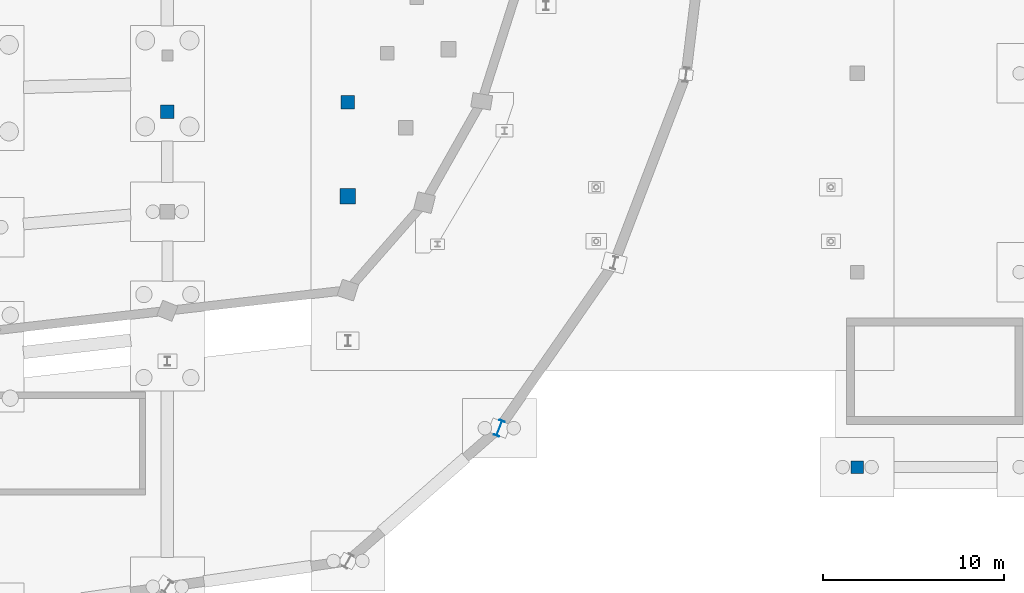
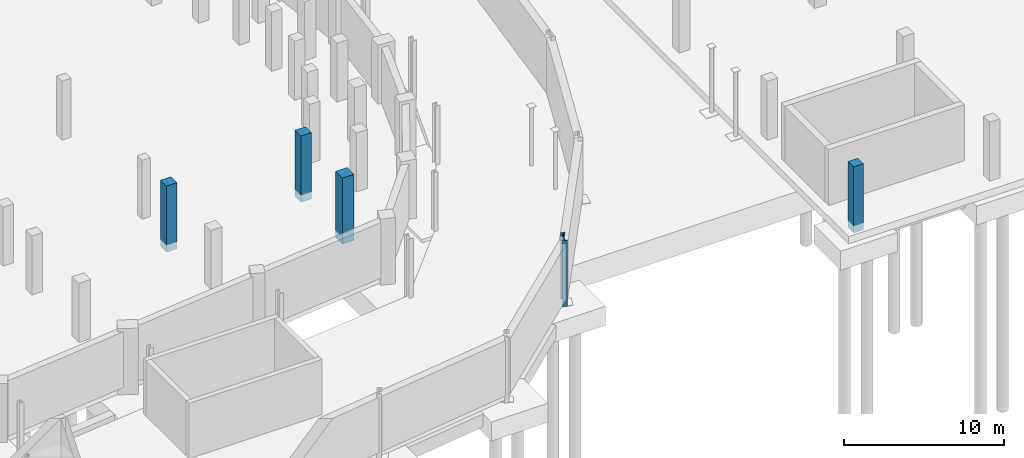
# One storey, part 27 of 55: 5 columns.
"""IFC4 building model written with IfcOpenShell, lengths in metres."""

from ifc_helpers import new_model, si_unit, direction, frame, origin, origin_2d, place, context, subcontext, project, spatial, rectangle, i_section, extrude, material, material_profile, profile_set, type_object, element, save


model = new_model("IFC4")

# Units and contexts
model_context = context("Model", 3, precision=1e-05, world=origin(), true_north=direction((0.0, 1.0)))
body_context = subcontext(model_context, "Body", "Model", "MODEL_VIEW")
ifc_project = project(units=[si_unit("LENGTHUNIT", "METRE"), si_unit("AREAUNIT", "SQUARE_METRE"), si_unit("VOLUMEUNIT", "CUBIC_METRE"), si_unit("PLANEANGLEUNIT", "RADIAN"), si_unit("MASSUNIT", "GRAM", prefix="KILO")], contexts=[model_context])

# Site, building, storey
site_placement = place(None, origin())
site = spatial("IfcSite", under=ifc_project, at=site_placement, CompositionType="ELEMENT")
building_placement = place(site_placement, origin())
building = spatial("IfcBuilding", under=site, at=building_placement, Name="Sohan Crest Arena", CompositionType="ELEMENT")
storey_placement = place(building_placement, frame((0.0, 0.0, -4.5)))
storey = spatial("IfcBuildingStorey", under=building, at=storey_placement, Name="B1", CompositionType="ELEMENT", Elevation=-4.5)

# Columns
ifc_material_1 = material(Name="Concrete C40/50", Category="concrete")
ifc_material_profile_1 = material_profile(ifc_material_1, rectangle(XDim=0.699951171875, YDim=0.699951171875, at=origin_2d()), Name="RC 700x700")
ifc_profile_set_1 = profile_set([ifc_material_profile_1], Name="Concrete C40/50")
column_type_1 = type_object("IfcColumnType", Name="STR-COL-C03", PredefinedType="COLUMN", material=ifc_profile_set_1)
column_1_placement = place(storey_placement, frame((196.199951171875, 45.199951171875, -0.550048828125), z_axis=(0.0, 0.0, 1.0), x_axis=(1.0, 0.0, 0.0)))
element("IfcColumn", 1, at=column_1_placement, inside=storey, type_object=column_type_1, Name="Structural column COL-V4S-11-B1", PredefinedType="COLUMN", context=body_context, shape_type="SweptSolid", body=[
    extrude(rectangle(XDim=0.699951171875, YDim=0.699951171875, at=origin_2d()), origin(), (0.0, 0.0, 1.0), 5.050048828125),
])
ifc_material_profile_2 = material_profile(ifc_material_1, rectangle(XDim=0.75, YDim=0.75, at=origin_2d()), Name="RC 750x750")
ifc_profile_set_2 = profile_set([ifc_material_profile_2], Name="Concrete C40/50")
column_type_2 = type_object("IfcColumnType", Name="STR-COL-C04", PredefinedType="COLUMN", material=ifc_profile_set_2)
for number, where, z_axis, x_axis, name in (
    (2, (158.0, 64.885986328125, -0.550048828125), (0.0, 0.0, 1.0), (1.0, 0.0, 0.0), "Structural column COL-V1I-19-B1"),
    (3, (168.0, 65.39990234375, -0.550048828125), (0.0, 0.0, 1.0), (1.0, 0.0, 0.0), "Structural column COL-V1I-20-B1"),
):
    element("IfcColumn", number, at=place(storey_placement, frame(where, z_axis=z_axis, x_axis=x_axis)), inside=storey, type_object=column_type_2, Name=name, PredefinedType="COLUMN", context=body_context, shape_type="SweptSolid", body=[
        extrude(rectangle(XDim=0.75, YDim=0.75, at=origin_2d()), origin(), (0.0, 0.0, 1.0), 5.050048828125),
    ])
ifc_material_profile_3 = material_profile(ifc_material_1, rectangle(XDim=0.85009765625, YDim=0.85009765625, at=origin_2d()), Name="RC 850x850")
ifc_profile_set_3 = profile_set([ifc_material_profile_3], Name="Concrete C40/50")
column_type_3 = type_object("IfcColumnType", Name="STR-COL-C06", PredefinedType="COLUMN", material=ifc_profile_set_3)
column_2_placement = place(storey_placement, frame((168.0, 60.199951171875, -0.550048828125), z_axis=(0.0, 0.0, 1.0), x_axis=(1.0, 0.0, 0.0)))
element("IfcColumn", 4, at=column_2_placement, inside=storey, type_object=column_type_3, Name="Structural column COL-V1M-20-B1", PredefinedType="COLUMN", context=body_context, shape_type="SweptSolid", body=[
    extrude(rectangle(XDim=0.85009765625, YDim=0.85009765625, at=origin_2d()), origin(), (0.0, 0.0, 1.0), 5.050048828125),
])
ifc_material_2 = material(Name="Steel S355", Category="steel")
ifc_material_profile_4 = material_profile(ifc_material_2, i_section(OverallWidth=0.300048828125, OverallDepth=0.89990234375, WebThickness=0.0185546875, FlangeThickness=0.034912109375, at=origin_2d()), Name="HEB 900")
ifc_profile_set_4 = profile_set([ifc_material_profile_4], Name="Steel S355")
column_type_4 = type_object("IfcColumnType", Name="STR-COL-C23", PredefinedType="COLUMN", material=ifc_profile_set_4)
column_3_placement = place(storey_placement, frame((176.383056640625, 47.35498046875, -0.550048828125), z_axis=(0.0, 0.0, 1.0), x_axis=(-0.931055815863, 0.364876784338, 0.0)))
element("IfcColumn", 5, at=column_3_placement, inside=storey, type_object=column_type_4, Name="Structural column COL-V2O-21-B1", PredefinedType="COLUMN", context=body_context, shape_type="SweptSolid", body=[
    extrude(i_section(OverallWidth=0.300048828125, OverallDepth=0.89990234375, WebThickness=0.0185546875, FlangeThickness=0.034912109375, at=origin_2d()), origin(), (0.0, 0.0, 1.0), 5.050048828125),
])

save(model, "model.ifc")
